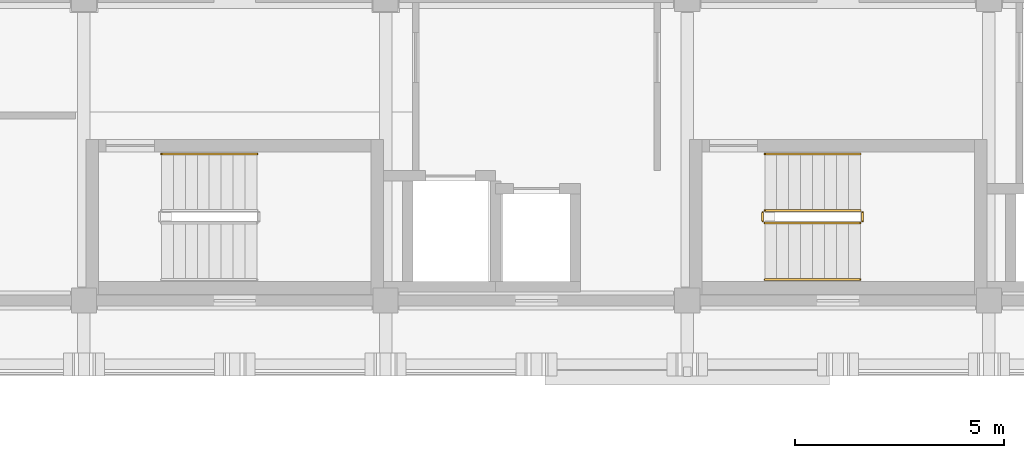
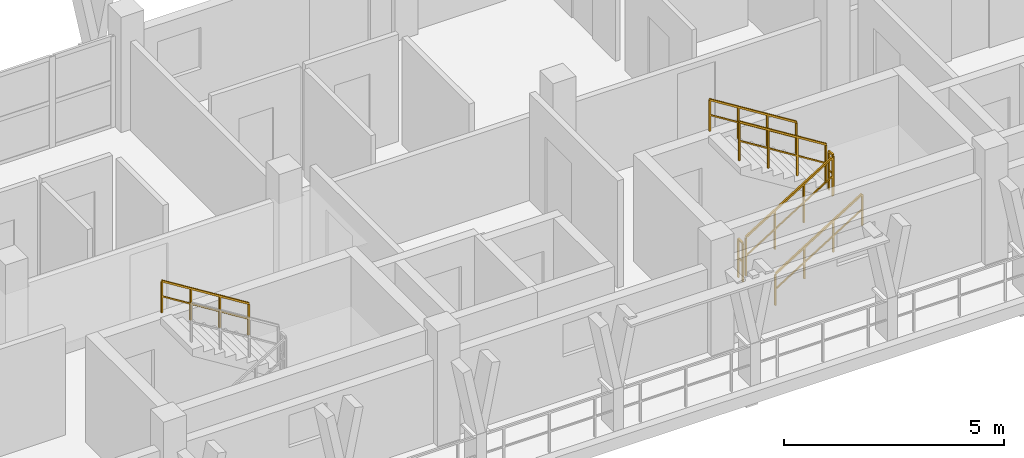
# One storey, part 65 of 73: 7 railings.
"""IFC4 building model written with IfcOpenShell, lengths in metres."""

from ifc_helpers import new_model, si_unit, direction, frame, origin, origin_2d, place, context, subcontext, project, spatial, rectangle, extrude, material, type_object, element, save


model = new_model("IFC4")

# Units and contexts
model_context = context("Model", 3, precision=1e-05, world=origin(), true_north=direction((0.0, 1.0)))
body_context = subcontext(model_context, "Body", "Model", "MODEL_VIEW")
ifc_project = project(units=[si_unit("LENGTHUNIT", "METRE"), si_unit("AREAUNIT", "SQUARE_METRE"), si_unit("VOLUMEUNIT", "CUBIC_METRE"), si_unit("PLANEANGLEUNIT", "RADIAN"), si_unit("MASSUNIT", "GRAM", prefix="KILO")], contexts=[model_context])

# Site, building, storey
site_placement = place(None, origin())
site = spatial("IfcSite", under=ifc_project, at=site_placement, CompositionType="ELEMENT")
building_placement = place(site_placement, origin())
building = spatial("IfcBuilding", under=site, at=building_placement, Name="Suanplinth Sawtooth Commons", CompositionType="ELEMENT")
storey_placement = place(building_placement, frame((0.0, 0.0, 21.89990234375)))
storey = spatial("IfcBuildingStorey", under=building, at=storey_placement, Name="L06", CompositionType="ELEMENT", Elevation=21.89990234375)

# Railings
ifc_material = material(Name="Stainless steel Grade 304", Category="steel")
railing_type_1 = type_object("IfcRailingType", Name="GR-04", PredefinedType="GUARDRAIL", material=ifc_material)
railing_1_placement = place(storey_placement, frame((59.449951171875, 109.85009765625, 0.177978515625)))
element("IfcRailing", 1, at=railing_1_placement, inside=storey, type_object=railing_type_1, Name="L06 ST-N2 Guard 1", PredefinedType="GUARDRAIL", context=body_context, shape_type="SweptSolid", body=[
    extrude(rectangle(XDim=0.048095703125, YDim=0.048095703125, at=origin_2d()), frame((0.0, 0.0, 1.076171875), z_axis=(0.848482842525, 0.0, 0.529222888715), x_axis=(0.0, 1.0, 0.0)), (0.0, 0.0, 1.0), 2.687255859375),
    extrude(rectangle(XDim=0.03369140625, YDim=0.03369140625, at=origin_2d()), frame((0.0, 0.0, 0.550048828125), z_axis=(0.848482842525, 0.0, 0.529222888715), x_axis=(0.0, 1.0, 0.0)), (0.0, 0.0, 1.0), 2.687255859375),
    extrude(rectangle(XDim=0.0419921875, YDim=0.0419921875, at=origin_2d()), origin(), (0.0, 0.0, 1.0), 1.052001953125),
    extrude(rectangle(XDim=0.0419921875, YDim=0.0419921875, at=origin_2d()), frame((0.760009765625, 0.0, 0.47412109375)), (0.0, 0.0, 1.0), 1.052001953125),
    extrude(rectangle(XDim=0.0419921875, YDim=0.0419921875, at=origin_2d()), frame((1.52001953125, 0.0, 0.947998046875)), (0.0, 0.0, 1.0), 1.052001953125),
    extrude(rectangle(XDim=0.0419921875, YDim=0.0419921875, at=origin_2d()), frame((2.280029296875, 0.0, 1.422119140625)), (0.0, 0.0, 1.0), 1.052001953125),
])
railing_2_placement = place(storey_placement, frame((61.780029296875, 109.89990234375, 1.60009765625)))
element("IfcRailing", 2, at=railing_2_placement, inside=storey, type_object=railing_type_1, Name="L06 ST-N2 Guard 2", PredefinedType="GUARDRAIL", context=body_context, shape_type="SweptSolid", body=[
    extrude(rectangle(XDim=0.048095703125, YDim=0.048095703125, at=origin_2d()), frame((0.0, 0.0, 1.076171875), z_axis=(0.0, 1.0, 0.0), x_axis=(-1.0, 0.0, 0.0)), (0.0, 0.0, 1.0), 0.2001953125),
    extrude(rectangle(XDim=0.03369140625, YDim=0.03369140625, at=origin_2d()), frame((0.0, 0.0, 0.550048828125), z_axis=(0.0, 1.0, 0.0), x_axis=(-1.0, 0.0, 0.0)), (0.0, 0.0, 1.0), 0.2001953125),
    extrude(rectangle(XDim=0.0419921875, YDim=0.0419921875, at=origin_2d()), origin(), (0.0, 0.0, 1.0), 1.052001953125),
    extrude(rectangle(XDim=0.0419921875, YDim=0.0419921875, at=origin_2d()), frame((0.0, 0.2001953125, 0.0)), (0.0, 0.0, 1.0), 1.052001953125),
])
railing_3_placement = place(storey_placement, frame((61.72998046875, 110.14990234375, 1.77783203125)))
element("IfcRailing", 3, at=railing_3_placement, inside=storey, type_object=railing_type_1, Name="L06 ST-N2 Guard 3", PredefinedType="GUARDRAIL", context=body_context, shape_type="SweptSolid", body=[
    extrude(rectangle(XDim=0.048095703125, YDim=0.048095703125, at=origin_2d()), frame((0.0, 0.0, 1.076171875), z_axis=(-0.848442045328, 0.0, 0.529288291689), x_axis=(0.0, -1.0, 0.0)), (0.0, 0.0, 1.0), 2.687255859375),
    extrude(rectangle(XDim=0.03369140625, YDim=0.03369140625, at=origin_2d()), frame((0.0, 0.0, 0.550048828125), z_axis=(-0.848442045328, 0.0, 0.529288291689), x_axis=(0.0, -1.0, 0.0)), (0.0, 0.0, 1.0), 2.687255859375),
    extrude(rectangle(XDim=0.0419921875, YDim=0.0419921875, at=origin_2d()), origin(), (0.0, 0.0, 1.0), 1.052001953125),
    extrude(rectangle(XDim=0.0419921875, YDim=0.0419921875, at=origin_2d()), frame((-0.760009765625, 0.0, 0.47412109375)), (0.0, 0.0, 1.0), 1.052001953125),
    extrude(rectangle(XDim=0.0419921875, YDim=0.0419921875, at=origin_2d()), frame((-1.52001953125, 0.0, 0.9482421875)), (0.0, 0.0, 1.0), 1.052001953125),
    extrude(rectangle(XDim=0.0419921875, YDim=0.0419921875, at=origin_2d()), frame((-2.280029296875, 0.0, 1.42236328125)), (0.0, 0.0, 1.0), 1.052001953125),
])
railing_4_placement = place(storey_placement, frame((59.39990234375, 109.89990234375, 0.0)))
element("IfcRailing", 4, at=railing_4_placement, inside=storey, type_object=railing_type_1, Name="L06 ST-N2 Guard 4", PredefinedType="GUARDRAIL", context=body_context, shape_type="SweptSolid", body=[
    extrude(rectangle(XDim=0.048095703125, YDim=0.048095703125, at=origin_2d()), frame((0.0, 0.0, 1.076171875), z_axis=(0.0, 1.0, 0.0), x_axis=(-1.0, 0.0, 0.0)), (0.0, 0.0, 1.0), 0.2001953125),
    extrude(rectangle(XDim=0.03369140625, YDim=0.03369140625, at=origin_2d()), frame((0.0, 0.0, 0.550048828125), z_axis=(0.0, 1.0, 0.0), x_axis=(-1.0, 0.0, 0.0)), (0.0, 0.0, 1.0), 0.2001953125),
    extrude(rectangle(XDim=0.0419921875, YDim=0.0419921875, at=origin_2d()), origin(), (0.0, 0.0, 1.0), 1.052001953125),
    extrude(rectangle(XDim=0.0419921875, YDim=0.0419921875, at=origin_2d()), frame((0.0, 0.2001953125, 0.0)), (0.0, 0.0, 1.0), 1.052001953125),
])
railing_type_2 = type_object("IfcRailingType", Name="HR-01", PredefinedType="HANDRAIL", material=ifc_material)
railing_5_placement = place(storey_placement, frame((47.330078125, 111.5, 1.77783203125)))
element("IfcRailing", 5, at=railing_5_placement, inside=storey, type_object=railing_type_2, Name="L06 ST-N1 Handrail 2", PredefinedType="HANDRAIL", context=body_context, shape_type="SweptSolid", body=[
    extrude(rectangle(XDim=0.048095703125, YDim=0.048095703125, at=origin_2d()), frame((0.0, 0.0, 0.8759765625), z_axis=(-0.848442045328, 0.0, 0.529288291689), x_axis=(0.0, -1.0, 0.0)), (0.0, 0.0, 1.0), 2.687255859375),
    extrude(rectangle(XDim=0.03369140625, YDim=0.03369140625, at=origin_2d()), frame((0.0, 0.0, 0.449951171875), z_axis=(-0.848442045328, 0.0, 0.529288291689), x_axis=(0.0, -1.0, 0.0)), (0.0, 0.0, 1.0), 2.687255859375),
    extrude(rectangle(XDim=0.0419921875, YDim=0.0419921875, at=origin_2d()), origin(), (0.0, 0.0, 1.0), 0.851806640625),
    extrude(rectangle(XDim=0.0419921875, YDim=0.0419921875, at=origin_2d()), frame((-0.760009765625, 0.0, 0.47412109375)), (0.0, 0.0, 1.0), 0.851806640625),
    extrude(rectangle(XDim=0.0419921875, YDim=0.0419921875, at=origin_2d()), frame((-1.52001953125, 0.0, 0.9482421875)), (0.0, 0.0, 1.0), 0.851806640625),
    extrude(rectangle(XDim=0.0419921875, YDim=0.0419921875, at=origin_2d()), frame((-2.280029296875, 0.0, 1.42236328125)), (0.0, 0.0, 1.0), 0.851806640625),
])
railing_6_placement = place(storey_placement, frame((59.449951171875, 108.5, 0.177978515625)))
element("IfcRailing", 6, at=railing_6_placement, inside=storey, type_object=railing_type_2, Name="L06 ST-N2 Handrail 1", PredefinedType="HANDRAIL", context=body_context, shape_type="SweptSolid", body=[
    extrude(rectangle(XDim=0.048095703125, YDim=0.048095703125, at=origin_2d()), frame((0.0, 0.0, 0.8759765625), z_axis=(0.848482842525, 0.0, 0.529222888715), x_axis=(0.0, 1.0, 0.0)), (0.0, 0.0, 1.0), 2.687255859375),
    extrude(rectangle(XDim=0.03369140625, YDim=0.03369140625, at=origin_2d()), frame((0.0, 0.0, 0.449951171875), z_axis=(0.848482842525, 0.0, 0.529222888715), x_axis=(0.0, 1.0, 0.0)), (0.0, 0.0, 1.0), 2.687255859375),
    extrude(rectangle(XDim=0.0419921875, YDim=0.0419921875, at=origin_2d()), origin(), (0.0, 0.0, 1.0), 0.851806640625),
    extrude(rectangle(XDim=0.0419921875, YDim=0.0419921875, at=origin_2d()), frame((0.760009765625, 0.0, 0.47412109375)), (0.0, 0.0, 1.0), 0.851806640625),
    extrude(rectangle(XDim=0.0419921875, YDim=0.0419921875, at=origin_2d()), frame((1.52001953125, 0.0, 0.947998046875)), (0.0, 0.0, 1.0), 0.851806640625),
    extrude(rectangle(XDim=0.0419921875, YDim=0.0419921875, at=origin_2d()), frame((2.280029296875, 0.0, 1.422119140625)), (0.0, 0.0, 1.0), 0.851806640625),
])
railing_7_placement = place(storey_placement, frame((61.72998046875, 111.5, 1.77783203125)))
element("IfcRailing", 7, at=railing_7_placement, inside=storey, type_object=railing_type_2, Name="L06 ST-N2 Handrail 2", PredefinedType="HANDRAIL", context=body_context, shape_type="SweptSolid", body=[
    extrude(rectangle(XDim=0.048095703125, YDim=0.048095703125, at=origin_2d()), frame((0.0, 0.0, 0.8759765625), z_axis=(-0.848442045328, 0.0, 0.529288291689), x_axis=(0.0, -1.0, 0.0)), (0.0, 0.0, 1.0), 2.687255859375),
    extrude(rectangle(XDim=0.03369140625, YDim=0.03369140625, at=origin_2d()), frame((0.0, 0.0, 0.449951171875), z_axis=(-0.848442045328, 0.0, 0.529288291689), x_axis=(0.0, -1.0, 0.0)), (0.0, 0.0, 1.0), 2.687255859375),
    extrude(rectangle(XDim=0.0419921875, YDim=0.0419921875, at=origin_2d()), origin(), (0.0, 0.0, 1.0), 0.851806640625),
    extrude(rectangle(XDim=0.0419921875, YDim=0.0419921875, at=origin_2d()), frame((-0.760009765625, 0.0, 0.47412109375)), (0.0, 0.0, 1.0), 0.851806640625),
    extrude(rectangle(XDim=0.0419921875, YDim=0.0419921875, at=origin_2d()), frame((-1.52001953125, 0.0, 0.9482421875)), (0.0, 0.0, 1.0), 0.851806640625),
    extrude(rectangle(XDim=0.0419921875, YDim=0.0419921875, at=origin_2d()), frame((-2.280029296875, 0.0, 1.42236328125)), (0.0, 0.0, 1.0), 0.851806640625),
])

save(model, "model.ifc")
